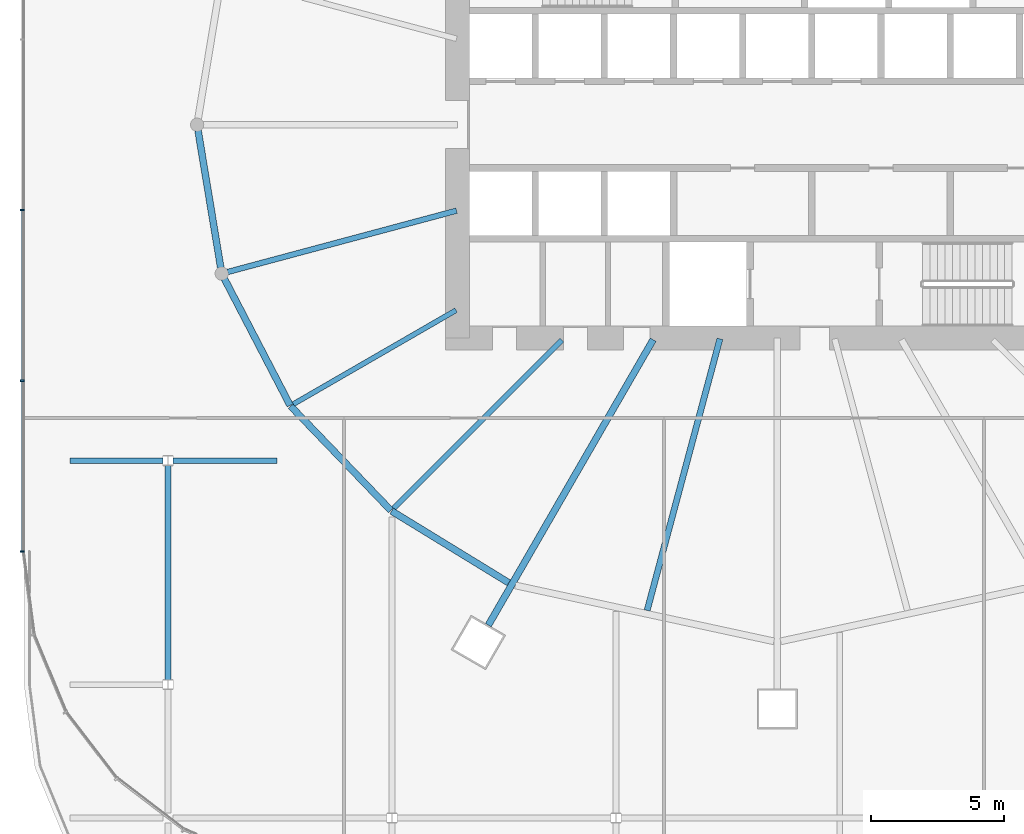
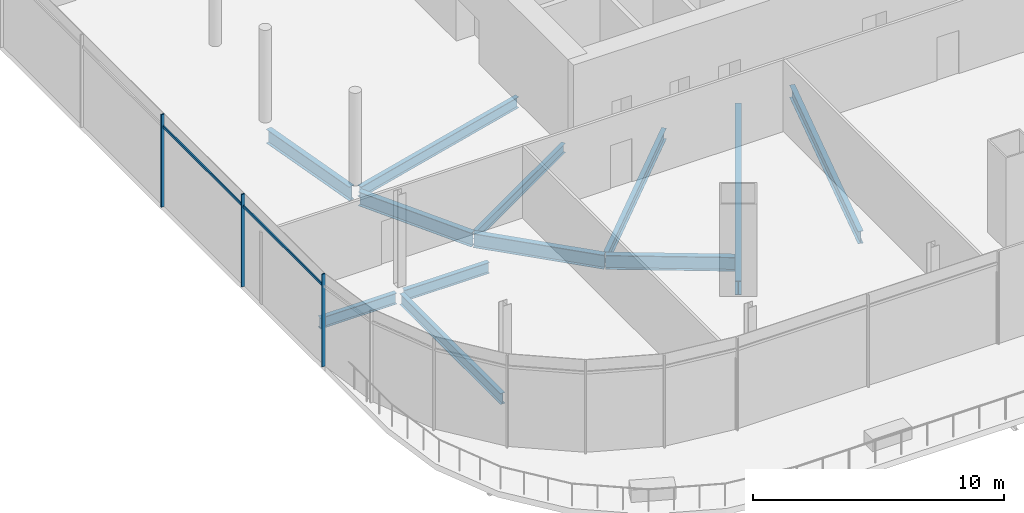
# One storey, part 11 of 52: 12 beams, 5 members, 1 element without a shape of its own.
"""IFC4 building model written with IfcOpenShell, lengths in metres."""

from ifc_helpers import new_model, si_unit, direction, frame, origin, origin_2d, place, context, subcontext, project, spatial, rectangle, i_section, extrude, material, material_profile, profile_set, type_object, element, aggregate, save


model = new_model("IFC4")

# Units and contexts
model_context = context("Model", 3, precision=1e-05, world=origin(), true_north=direction((0.0, 1.0)))
body_context = subcontext(model_context, "Body", "Model", "MODEL_VIEW")
ifc_project = project(units=[si_unit("LENGTHUNIT", "METRE"), si_unit("AREAUNIT", "SQUARE_METRE"), si_unit("VOLUMEUNIT", "CUBIC_METRE"), si_unit("PLANEANGLEUNIT", "RADIAN"), si_unit("MASSUNIT", "GRAM", prefix="KILO")], contexts=[model_context])

# Site, building, storey
site_placement = place(None, origin())
site = spatial("IfcSite", under=ifc_project, at=site_placement, CompositionType="ELEMENT")
building_placement = place(site_placement, origin())
building = spatial("IfcBuilding", under=site, at=building_placement, Name="Rimbun Link Towers", CompositionType="ELEMENT")
storey_placement = place(building_placement, frame((0.0, 0.0, 21.0)))
storey = spatial("IfcBuildingStorey", under=building, at=storey_placement, Name="L04", CompositionType="ELEMENT", Elevation=21.0)

# Curtain wall, members
ifc_material_1 = material(Name="Aluminium 6063-T6 and low-iron glass", Category="aluminium")
curtain_wall_type = type_object("IfcCurtainWallType", Name="CW3 podium shopfront", PredefinedType="NOTDEFINED", material=ifc_material_1)
curtain_wall_placement = place(storey_placement, origin())
curtain_wall = element("IfcCurtainWall", 1, at=curtain_wall_placement, inside=storey, type_object=curtain_wall_type, Name="CW3 L04 PD", PredefinedType="NOTDEFINED")
ifc_material_2 = material(Name="Aluminium 6063-T6", Category="aluminium")
ifc_material_profile_1 = material_profile(ifc_material_2, rectangle(XDim=0.14990234375, YDim=0.06005859375, at=origin_2d()), Name="MULLION 60X150")
ifc_profile_set_1 = profile_set([ifc_material_profile_1], Name="Aluminium 6063-T6")
member_type_1 = type_object("IfcMemberType", Name="CW3 mullion 60X150", PredefinedType="MULLION", material=ifc_profile_set_1)
member_1_placement = place(storey_placement, frame((-60.074951171875, -3.199951171875, 0.0), z_axis=(0.0, 0.0, 1.0), x_axis=(-1.0, 0.0, 0.0)))
member_1 = element("IfcMember", 2, at=member_1_placement, type_object=member_type_1, Name="CW3 mullion", PredefinedType="MULLION", context=body_context, shape_type="SweptSolid", body=[
    extrude(rectangle(XDim=0.14990234375, YDim=0.06005859375, at=origin_2d()), origin(), (0.0, 0.0, 1.0), 4.5),
])
member_2_placement = place(storey_placement, frame((-60.074951171875, -9.60009765625, 0.0), z_axis=(0.0, 0.0, 1.0), x_axis=(-1.0, 0.0, 0.0)))
member_2 = element("IfcMember", 3, at=member_2_placement, type_object=member_type_1, Name="CW3 mullion", PredefinedType="MULLION", context=body_context, shape_type="SweptSolid", body=[
    extrude(rectangle(XDim=0.14990234375, YDim=0.06005859375, at=origin_2d()), origin(), (0.0, 0.0, 1.0), 4.5),
])
member_3_placement = place(storey_placement, frame((-60.074951171875, -16.0048828125, 0.0), z_axis=(0.0, 0.0, 1.0), x_axis=(-0.997858781723, -0.065405288299, 0.0)))
member_3 = element("IfcMember", 4, at=member_3_placement, type_object=member_type_1, Name="CW3 mullion", PredefinedType="MULLION", context=body_context, shape_type="SweptSolid", body=[
    extrude(rectangle(XDim=0.14990234375, YDim=0.06005859375, at=origin_2d()), origin(), (0.0, 0.0, 1.0), 4.5),
])
ifc_material_3 = material(Name="Aluminium 6063-T6", Category="aluminium")
ifc_material_profile_2 = material_profile(ifc_material_3, rectangle(XDim=0.06005859375, YDim=0.1201171875, at=origin_2d()), Name="TRANSOM 60X120")
ifc_profile_set_2 = profile_set([ifc_material_profile_2], Name="Aluminium 6063-T6")
member_type_2 = type_object("IfcMemberType", Name="CW3 transom 60X120", PredefinedType="USERDEFINED", material=ifc_profile_set_2)
member_4_placement = place(storey_placement, frame((-60.053955078125, -9.570068359375, 3.89990234375), z_axis=(0.0, 1.0, 0.0), x_axis=(-1.0, 0.0, 0.0)))
member_4 = element("IfcMember", 5, at=member_4_placement, type_object=member_type_2, Name="CW3 transom", ObjectType="TRANSOM", PredefinedType="USERDEFINED", context=body_context, shape_type="SweptSolid", body=[
    extrude(rectangle(XDim=0.06005859375, YDim=0.1201171875, at=origin_2d()), origin(), (0.0, 0.0, 1.0), 6.340087890625),
])
member_5_placement = place(storey_placement, frame((-60.053955078125, -15.969970703125, 3.89990234375), z_axis=(0.0, 1.0, 0.0), x_axis=(-1.0, 0.0, 0.0)))
member_5 = element("IfcMember", 6, at=member_5_placement, type_object=member_type_2, Name="CW3 transom", ObjectType="TRANSOM", PredefinedType="USERDEFINED", context=body_context, shape_type="SweptSolid", body=[
    extrude(rectangle(XDim=0.06005859375, YDim=0.1201171875, at=origin_2d()), origin(), (0.0, 0.0, 1.0), 6.340087890625),
])
aggregate(curtain_wall, [member_1, member_2, member_3, member_4, member_5])

# Beams
ifc_material_4 = material(Name="Steel S355J2", Category="steel")
ifc_material_profile_3 = material_profile(ifc_material_4, i_section(OverallWidth=0.18994140625, OverallDepth=0.453369140625, WebThickness=0.008544921875, FlangeThickness=0.0126953125, at=origin_2d()), Name="UB 457x191x67")
ifc_profile_set_3 = profile_set([ifc_material_profile_3], Name="Steel S355J2")
beam_type_1 = type_object("IfcBeamType", Name="UB 457x191x67", PredefinedType="BEAM", material=ifc_profile_set_3)
beam_1_placement = place(storey_placement, frame((-43.79833984375, -6.9560546875, -0.526611328125), z_axis=(-0.866023453068, -0.500003378725, 0.0), x_axis=(0.500003378725, -0.866023453068, 0.0)))
element("IfcBeam", 7, at=beam_1_placement, inside=storey, type_object=beam_type_1, Name="Radial beam T1 L04 14", PredefinedType="BEAM", context=body_context, shape_type="SweptSolid", body=[
    extrude(i_section(OverallWidth=0.18994140625, OverallDepth=0.453369140625, WebThickness=0.008544921875, FlangeThickness=0.0126953125, at=origin_2d()), origin(), (0.0, 0.0, 1.0), 7.04638671875),
])
ifc_material_5 = material(Name="Steel S355J2", Category="steel")
ifc_material_profile_4 = material_profile(ifc_material_5, i_section(OverallWidth=0.209228515625, OverallDepth=0.533203125, WebThickness=0.010009765625, FlangeThickness=0.015625, at=origin_2d()), Name="UB 533x210x92")
ifc_profile_set_4 = profile_set([ifc_material_profile_4], Name="Steel S355J2")
beam_type_2 = type_object("IfcBeamType", Name="UB 533x210x92", PredefinedType="BEAM", material=ifc_profile_set_4)
beam_2_placement = place(storey_placement, frame((-43.778076171875, -3.222900390625, -0.56640625), z_axis=(-0.965921441409, -0.258835409145, 0.0), x_axis=(0.258835409145, -0.965921441409, 0.0)))
element("IfcBeam", 8, at=beam_2_placement, inside=storey, type_object=beam_type_2, Name="Radial beam T1 L04 13", PredefinedType="BEAM", context=body_context, shape_type="SweptSolid", body=[
    extrude(i_section(OverallWidth=0.209228515625, OverallDepth=0.533203125, WebThickness=0.010009765625, FlangeThickness=0.015625, at=origin_2d()), origin(), (0.0, 0.0, 1.0), 8.88720703125),
])
beam_3_placement = place(storey_placement, frame((-39.82470703125, -8.07470703125, -0.56640625), z_axis=(-0.707106781187, -0.707106781187, 0.0), x_axis=(0.707106781187, -0.707106781187, 0.0)))
element("IfcBeam", 9, at=beam_3_placement, inside=storey, type_object=beam_type_2, Name="Radial beam T1 L04 15", PredefinedType="BEAM", context=body_context, shape_type="SweptSolid", body=[
    extrude(i_section(OverallWidth=0.209228515625, OverallDepth=0.533203125, WebThickness=0.010009765625, FlangeThickness=0.015625, at=origin_2d()), origin(), (0.0, 0.0, 1.0), 8.9287109375),
])
beam_4_placement = place(storey_placement, frame((-58.285400390625, -12.60009765625, -0.56640625), z_axis=(1.0, 0.0, 0.0), x_axis=(0.0, 1.0, 0.0)))
element("IfcBeam", 10, at=beam_4_placement, inside=storey, type_object=beam_type_2, Name="Grid beam L04 -12.6", PredefinedType="BEAM", context=body_context, shape_type="SweptSolid", body=[
    extrude(i_section(OverallWidth=0.209228515625, OverallDepth=0.533203125, WebThickness=0.010009765625, FlangeThickness=0.015625, at=origin_2d()), origin(), (0.0, 0.0, 1.0), 3.5),
])
beam_5_placement = place(storey_placement, frame((-54.414794921875, -12.60009765625, -0.56640625), z_axis=(1.0, 0.0, 0.0), x_axis=(0.0, 1.0, 0.0)))
element("IfcBeam", 11, at=beam_5_placement, inside=storey, type_object=beam_type_2, Name="Grid beam L04 -12.6", PredefinedType="BEAM", context=body_context, shape_type="SweptSolid", body=[
    extrude(i_section(OverallWidth=0.209228515625, OverallDepth=0.533203125, WebThickness=0.010009765625, FlangeThickness=0.015625, at=origin_2d()), origin(), (0.0, 0.0, 1.0), 3.900146484375),
])
beam_6_placement = place(storey_placement, frame((-54.60009765625, -20.819091796875, -0.56640625), z_axis=(0.0, 1.0, 0.0), x_axis=(-1.0, 0.0, 0.0)))
element("IfcBeam", 12, at=beam_6_placement, inside=storey, type_object=beam_type_2, Name="Grid beam L04 -54.6", PredefinedType="BEAM", context=body_context, shape_type="SweptSolid", body=[
    extrude(i_section(OverallWidth=0.209228515625, OverallDepth=0.533203125, WebThickness=0.010009765625, FlangeThickness=0.015625, at=origin_2d()), origin(), (0.0, 0.0, 1.0), 8.0380859375),
])
ifc_material_6 = material(Name="Steel S355J2", Category="steel")
ifc_material_profile_5 = material_profile(ifc_material_6, i_section(OverallWidth=0.2275390625, OverallDepth=0.6025390625, WebThickness=0.010498046875, FlangeThickness=0.014892578125, at=origin_2d()), Name="UB 610x229x101")
ifc_profile_set_5 = profile_set([ifc_material_profile_5], Name="Steel S355J2")
beam_type_3 = type_object("IfcBeamType", Name="UB 610x229x101", PredefinedType="BEAM", material=ifc_profile_set_5)
beam_7_placement = place(storey_placement, frame((-33.901611328125, -8.030517578125, -0.601318359375), z_axis=(-0.258844096103, -0.965919113545, 0.0), x_axis=(0.965919113545, -0.258844096103, 0.0)))
element("IfcBeam", 13, at=beam_7_placement, inside=storey, type_object=beam_type_3, Name="Radial beam T1 L04 17", PredefinedType="BEAM", context=body_context, shape_type="SweptSolid", body=[
    extrude(i_section(OverallWidth=0.2275390625, OverallDepth=0.6025390625, WebThickness=0.010498046875, FlangeThickness=0.014892578125, at=origin_2d()), origin(), (0.0, 0.0, 1.0), 10.544921875),
])
ifc_material_7 = material(Name="Steel S355J2", Category="steel")
ifc_material_profile_6 = material_profile(ifc_material_7, i_section(OverallWidth=0.253662109375, OverallDepth=0.68359375, WebThickness=0.012451171875, FlangeThickness=0.01904296875, at=origin_2d()), Name="UB 686x254x140")
ifc_profile_set_6 = profile_set([ifc_material_profile_6], Name="Steel S355J2")
beam_type_4 = type_object("IfcBeamType", Name="UB 686x254x140", PredefinedType="BEAM", material=ifc_profile_set_6)
beam_8_placement = place(storey_placement, frame((-36.406005859375, -8.064208984375, -0.641845703125), z_axis=(-0.499992594562, -0.866029679274, 0.0), x_axis=(0.866029679274, -0.499992594562, 0.0)))
element("IfcBeam", 14, at=beam_8_placement, inside=storey, type_object=beam_type_4, Name="Radial beam T1 L04 16", PredefinedType="BEAM", context=body_context, shape_type="SweptSolid", body=[
    extrude(i_section(OverallWidth=0.253662109375, OverallDepth=0.68359375, WebThickness=0.012451171875, FlangeThickness=0.01904296875, at=origin_2d()), origin(), (0.0, 0.0, 1.0), 12.360595703125),
])
beam_9_placement = place(storey_placement, frame((-53.473388671875, -0.217529296875, -0.641845703125), z_axis=(0.163063422521, -0.986615588887, 0.0), x_axis=(0.986615588887, 0.163063422521, 0.0)))
element("IfcBeam", 15, at=beam_9_placement, inside=storey, type_object=beam_type_4, Name="Edge beam T1 L04 12", PredefinedType="BEAM", context=body_context, shape_type="SweptSolid", body=[
    extrude(i_section(OverallWidth=0.253662109375, OverallDepth=0.68359375, WebThickness=0.012451171875, FlangeThickness=0.01904296875, at=origin_2d()), origin(), (0.0, 0.0, 1.0), 5.2177734375),
])
beam_10_placement = place(storey_placement, frame((-52.485107421875, -5.77880859375, -0.641845703125), z_axis=(0.460708800711, -0.887551351161, 0.0), x_axis=(0.887551351161, 0.460708800711, 0.0)))
element("IfcBeam", 16, at=beam_10_placement, inside=storey, type_object=beam_type_4, Name="Edge beam T1 L04 13", PredefinedType="BEAM", context=body_context, shape_type="SweptSolid", body=[
    extrude(i_section(OverallWidth=0.253662109375, OverallDepth=0.68359375, WebThickness=0.012451171875, FlangeThickness=0.01904296875, at=origin_2d()), origin(), (0.0, 0.0, 1.0), 5.34912109375),
])
beam_11_placement = place(storey_placement, frame((-49.99853515625, -10.557373046875, -0.641845703125), z_axis=(0.692988130851, -0.720948992995, 0.0), x_axis=(0.720948992995, 0.692988130851, 0.0)))
element("IfcBeam", 17, at=beam_11_placement, inside=storey, type_object=beam_type_4, Name="Edge beam T1 L04 14", PredefinedType="BEAM", context=body_context, shape_type="SweptSolid", body=[
    extrude(i_section(OverallWidth=0.253662109375, OverallDepth=0.68359375, WebThickness=0.012451171875, FlangeThickness=0.01904296875, at=origin_2d()), origin(), (0.0, 0.0, 1.0), 5.42236328125),
])
beam_12_placement = place(storey_placement, frame((-46.21435546875, -14.488037109375, -0.641845703125), z_axis=(0.852707458773, -0.522388734328, 0.0), x_axis=(0.522388734328, 0.852707458773, 0.0)))
element("IfcBeam", 18, at=beam_12_placement, inside=storey, type_object=beam_type_4, Name="Edge beam T1 L04 15", PredefinedType="BEAM", context=body_context, shape_type="SweptSolid", body=[
    extrude(i_section(OverallWidth=0.253662109375, OverallDepth=0.68359375, WebThickness=0.012451171875, FlangeThickness=0.01904296875, at=origin_2d()), origin(), (0.0, 0.0, 1.0), 5.153076171875),
])

save(model, "model.ifc")
